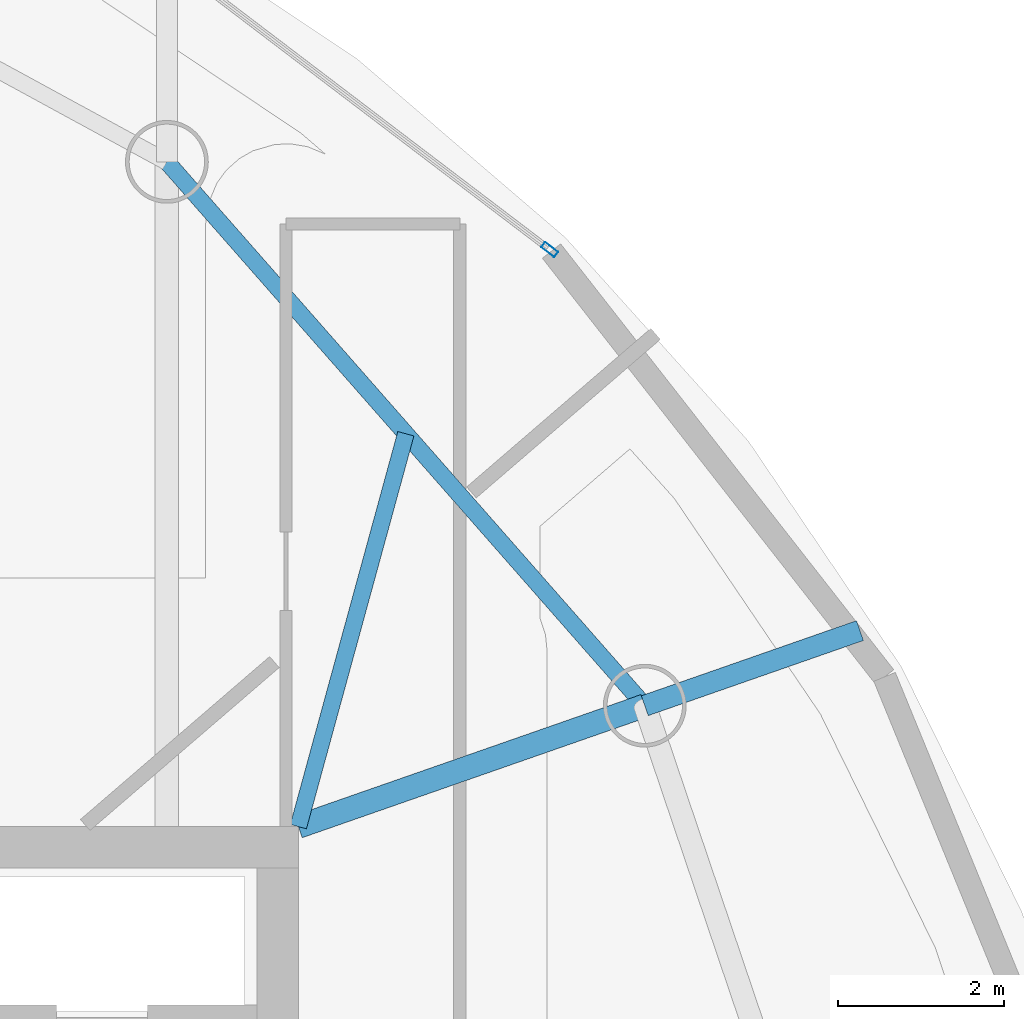
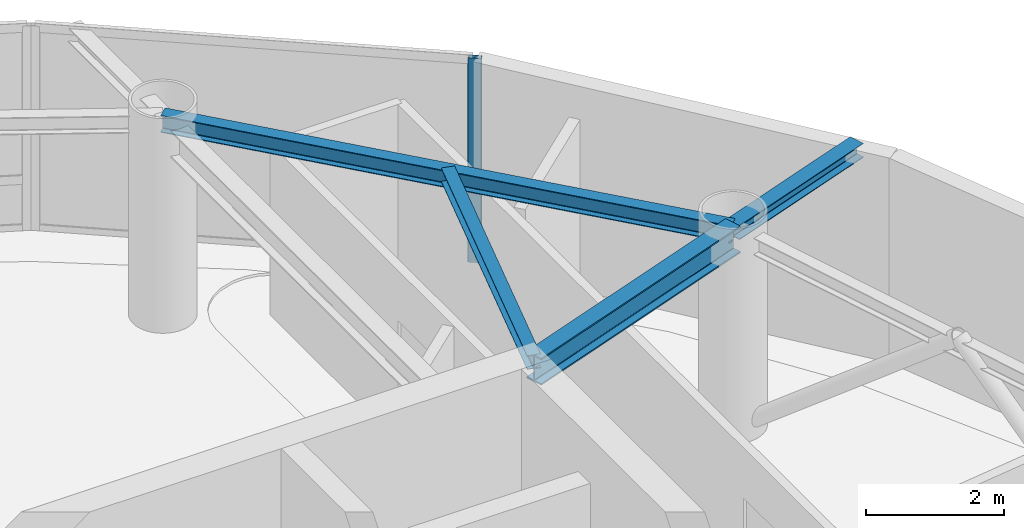
# One storey, part 12 of 19: 4 beams, 1 member, 1 element without a shape of its own.
"""IFC4 building model written with IfcOpenShell, lengths in metres."""

from ifc_helpers import new_model, si_unit, direction, frame, origin, origin_2d, place, context, subcontext, project, spatial, hollow_rectangle, i_section, extrude, material, layer, layer_set, material_profile, profile_set, type_object, element, aggregate, save


model = new_model("IFC4")

# Units and contexts
model_context = context("Model", 3, precision=1e-05, world=origin(), true_north=direction((0.0, 1.0)))
body_context = subcontext(model_context, "Body", "Model", "MODEL_VIEW")
ifc_project = project(units=[si_unit("LENGTHUNIT", "METRE"), si_unit("AREAUNIT", "SQUARE_METRE"), si_unit("VOLUMEUNIT", "CUBIC_METRE"), si_unit("PLANEANGLEUNIT", "RADIAN"), si_unit("MASSUNIT", "GRAM", prefix="KILO")], contexts=[model_context])

# Site, building, storey
site_placement = place(None, origin())
site = spatial("IfcSite", under=ifc_project, at=site_placement, CompositionType="ELEMENT")
building_placement = place(site_placement, origin())
building = spatial("IfcBuilding", under=site, at=building_placement, Name="Bramvorn Convention Spire", CompositionType="ELEMENT")
storey_placement = place(building_placement, frame((0.0, 0.0, 272.85009765625)))
storey = spatial("IfcBuildingStorey", under=building, at=storey_placement, Name="L69", CompositionType="ELEMENT", Elevation=272.85009765625)

# Beams
ifc_material_1 = material(Name="Steel CSA G40.21 Grade 350 (350W)", Category="steel")
ifc_material_profile_1 = material_profile(ifc_material_1, i_section(OverallWidth=0.201904296875, OverallDepth=0.2470703125, WebThickness=0.00732421875, FlangeThickness=0.010986328125, FilletRadius=0.011962890625, at=origin_2d()))
ifc_profile_set_1 = profile_set([ifc_material_profile_1], Name="Steel CSA G40.21 Grade 350 (350W) - W250X49")
beam_type_1 = type_object("IfcBeamType", Name="BM-W250X49", PredefinedType="JOIST", material=ifc_profile_set_1)
beam_1_placement = place(storey_placement, frame((49.25, 33.449951171875, 3.50146484375), z_axis=(0.26386506219, 0.96455960363, 0.0), x_axis=(-0.96455960363, 0.26386506219, 0.0)))
element("IfcBeam", 1, at=beam_1_placement, inside=storey, type_object=beam_type_1, Name="L69 composite floor joist 05", PredefinedType="JOIST", context=body_context, shape_type="SweptSolid", body=[
    extrude(i_section(OverallWidth=0.201904296875, OverallDepth=0.2470703125, WebThickness=0.00732421875, FlangeThickness=0.010986328125, FilletRadius=0.011962890625, at=origin_2d()), origin(), (0.0, 0.0, 1.0), 4.917724609375),
])
ifc_material_profile_2 = material_profile(ifc_material_1, i_section(OverallWidth=0.25390625, OverallDepth=0.2529296875, WebThickness=0.008544921875, FlangeThickness=0.01416015625, FilletRadius=0.011962890625, at=origin_2d()))
ifc_profile_set_2 = profile_set([ifc_material_profile_2], Name="Steel CSA G40.21 Grade 350 (350W) - W250X73")
beam_type_2 = type_object("IfcBeamType", Name="BM-W250X73", PredefinedType="BEAM", material=ifc_profile_set_2)
beam_2_placement = place(storey_placement, frame((53.4326171875, 34.909912109375, 3.498291015625), z_axis=(0.9441263695, 0.329583674375, 0.0), x_axis=(-0.329583674375, 0.9441263695, 0.0)))
element("IfcBeam", 2, at=beam_2_placement, inside=storey, type_object=beam_type_2, Name="L69 slab-edge cantilever tip beam MC05", PredefinedType="BEAM", context=body_context, shape_type="SweptSolid", body=[
    extrude(i_section(OverallWidth=0.25390625, OverallDepth=0.2529296875, WebThickness=0.008544921875, FlangeThickness=0.01416015625, FilletRadius=0.011962890625, at=origin_2d()), origin(), (0.0, 0.0, 1.0), 2.751953125),
])
ifc_material_profile_3 = material_profile(ifc_material_1, i_section(OverallWidth=0.202880859375, OverallDepth=0.302978515625, WebThickness=0.007568359375, FlangeThickness=0.01318359375, FilletRadius=0.013916015625, at=origin_2d()))
ifc_profile_set_3 = profile_set([ifc_material_profile_3], Name="Steel CSA G40.21 Grade 350 (350W) - W310X60")
beam_type_3 = type_object("IfcBeamType", Name="BM-W310X60", PredefinedType="JOIST", material=ifc_profile_set_3)
beam_3_placement = place(storey_placement, frame((53.4326171875, 34.909912109375, 3.473388671875), z_axis=(-0.660073062339, 0.751201405999, 0.0), x_axis=(-0.751201405999, -0.660073062339, 0.0)))
element("IfcBeam", 3, at=beam_3_placement, inside=storey, type_object=beam_type_3, Name="L69 mega-column ring beam 05", PredefinedType="JOIST", context=body_context, shape_type="SweptSolid", body=[
    extrude(i_section(OverallWidth=0.202880859375, OverallDepth=0.302978515625, WebThickness=0.007568359375, FlangeThickness=0.01318359375, FilletRadius=0.013916015625, at=origin_2d()), origin(), (0.0, 0.0, 1.0), 8.741943359375),
])
ifc_material_profile_4 = material_profile(ifc_material_1, i_section(OverallWidth=0.283935546875, OverallDepth=0.47607421875, WebThickness=0.014892578125, FlangeThickness=0.02392578125, FilletRadius=0.01806640625, at=origin_2d()))
ifc_profile_set_4 = profile_set([ifc_material_profile_4], Name="Steel CSA G40.21 Grade 350 (350W) - W460X158")
beam_type_4 = type_object("IfcBeamType", Name="BM-W460X158", PredefinedType="SPANDREL", material=ifc_profile_set_4)
beam_4_placement = place(storey_placement, frame((49.25, 33.449951171875, 3.386962890625), z_axis=(0.944136391877, 0.329554962843, 0.0), x_axis=(-0.329554962843, 0.944136391877, 0.0)))
element("IfcBeam", 4, at=beam_4_placement, inside=storey, type_object=beam_type_4, Name="L69 radial floor girder MC05", PredefinedType="SPANDREL", context=body_context, shape_type="SweptSolid", body=[
    extrude(i_section(OverallWidth=0.283935546875, OverallDepth=0.47607421875, WebThickness=0.014892578125, FlangeThickness=0.02392578125, FilletRadius=0.01806640625, at=origin_2d()), origin(), (0.0, 0.0, 1.0), 4.43017578125),
])

# Curtain wall, member
ifc_material_2 = material(Name="Anodised Bronze Unitised Curtain Wall", Category="aluminium")
ifc_layer = layer(ifc_material_2, 0.179931640625)
ifc_layer_set = layer_set([ifc_layer], Name="Anodised Bronze Unitised Curtain Wall - CW-OFF-FRIT")
curtain_wall_type = type_object("IfcCurtainWallType", Name="CW-OFF-FRIT", PredefinedType="USERDEFINED", material=ifc_layer_set)
curtain_wall_placement = place(storey_placement, origin())
curtain_wall = element("IfcCurtainWall", 5, at=curtain_wall_placement, inside=storey, type_object=curtain_wall_type, Name="L69 fritted glass curtain wall 08", ObjectType="UNITISED CURTAIN WALL", PredefinedType="USERDEFINED")
ifc_material_3 = material(Name="Anodised Bronze Aluminium 6063-T6", Category="aluminium")
ifc_material_profile_5 = material_profile(ifc_material_3, hollow_rectangle(XDim=0.080078125, YDim=0.199951171875, WallThickness=0.00390625, InnerFilletRadius=0.0009765625, OuterFilletRadius=0.00390625, at=origin_2d()))
ifc_profile_set_5 = profile_set([ifc_material_profile_5], Name="Anodised Bronze Aluminium 6063-T6 - CWM80X200")
member_type = type_object("IfcMemberType", Name="CW-MUL-180", PredefinedType="MULLION", material=ifc_profile_set_5)
member_placement = place(storey_placement, frame((52.282958984375, 40.417236328125, 0.0), z_axis=(0.0, 0.0, 1.0), x_axis=(0.605189713703, 0.796081283807, 0.0)))
member = element("IfcMember", 6, at=member_placement, type_object=member_type, Name="CW3 mullion 2", PredefinedType="MULLION", context=body_context, shape_type="SweptSolid", body=[
    extrude(hollow_rectangle(XDim=0.080078125, YDim=0.199951171875, WallThickness=0.00390625, InnerFilletRadius=0.0009765625, OuterFilletRadius=0.00390625, at=origin_2d()), origin(), (0.0, 0.0, 1.0), 3.625),
])
aggregate(curtain_wall, [member])

save(model, "model.ifc")
